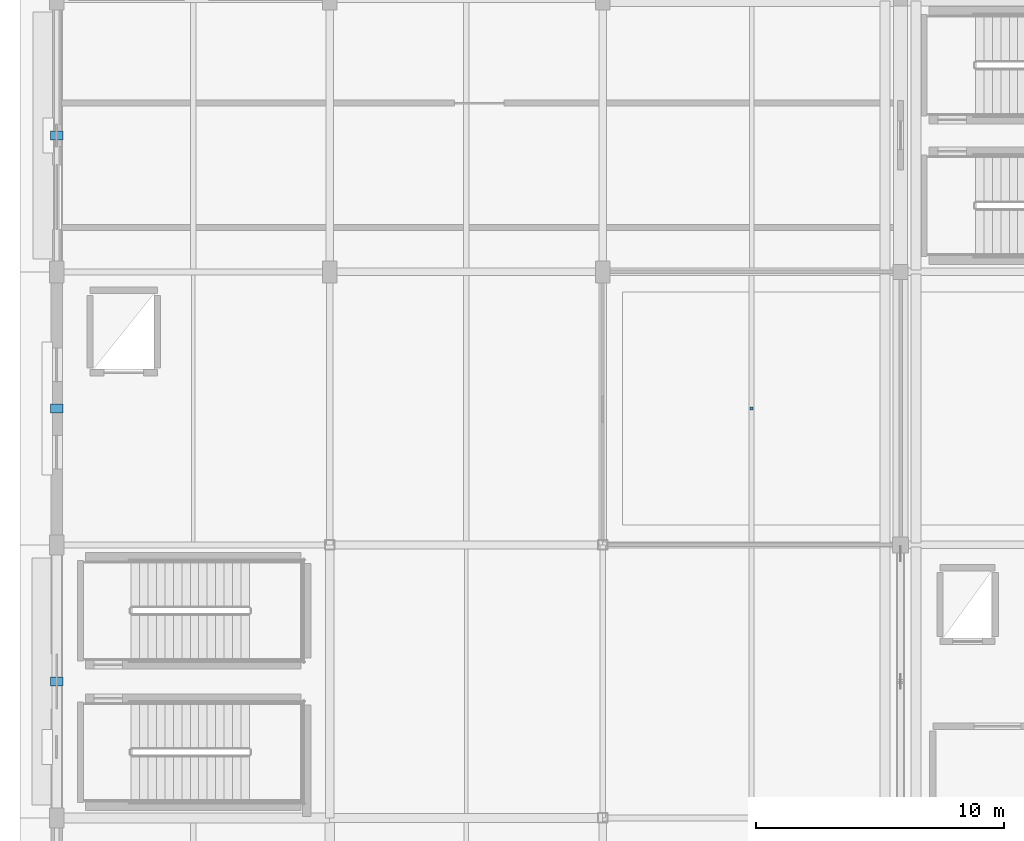
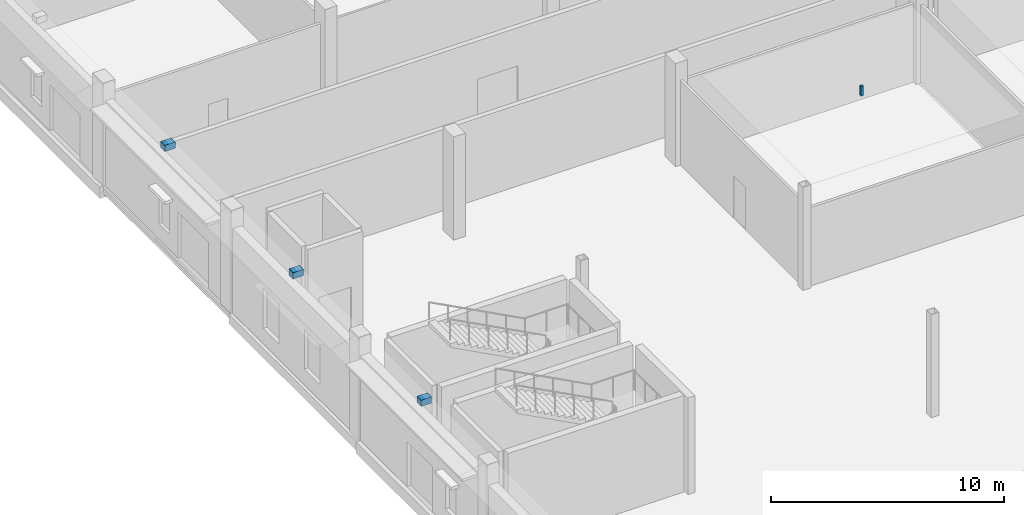
# One storey, part 76 of 120: 4 discrete accessories.
"""IFC4 building model written with IfcOpenShell, lengths in metres."""

from ifc_helpers import new_model, si_unit, direction, frame, origin, origin_2d, place, context, subcontext, project, spatial, rectangle, extrude, material, layer, layer_set, type_object, element, save


model = new_model("IFC4")

# Units and contexts
model_context = context("Model", 3, precision=1e-05, world=origin(), true_north=direction((0.0, 1.0)))
body_context = subcontext(model_context, "Body", "Model", "MODEL_VIEW")
ifc_project = project(units=[si_unit("LENGTHUNIT", "METRE"), si_unit("AREAUNIT", "SQUARE_METRE"), si_unit("VOLUMEUNIT", "CUBIC_METRE"), si_unit("PLANEANGLEUNIT", "RADIAN"), si_unit("MASSUNIT", "GRAM", prefix="KILO")], contexts=[model_context])

# Site, building, storey
site_placement = place(None, origin())
site = spatial("IfcSite", under=ifc_project, at=site_placement, CompositionType="ELEMENT")
building_placement = place(site_placement, origin())
building = spatial("IfcBuilding", under=site, at=building_placement, Name="Luwafu Chhajja Arena", CompositionType="ELEMENT")
storey_placement = place(building_placement, origin())
storey = spatial("IfcBuildingStorey", under=building, at=storey_placement, Name="L00", CompositionType="ELEMENT", Elevation=0.0)

# Discrete accessories
ifc_material = material(Name="Stainless steel bracket", Category="steel")
ifc_layer = layer(ifc_material, 0.179931640625, Name="Stainless steel bracket")
ifc_layer_set = layer_set([ifc_layer], Name="Stainless steel bracket")
discrete_accessory_type = type_object("IfcDiscreteAccessoryType", Name="Stainless Steel Facade Support Bracket", PredefinedType="BRACKET", material=ifc_layer_set)
for number, where, z_axis, x_axis, name in (
    (1, (0.0, 27.5, 4.97998046875), (0.0, 0.0, 1.0), (0.0, 1.0, 0.0), "L00 Chhajja Eave Support Bracket 0068"),
    (2, (0.0, 38.5, 4.97998046875), (0.0, 0.0, 1.0), (0.0, 1.0, 0.0), "L00 Chhajja Eave Support Bracket 0069"),
    (3, (0.0, 49.5, 4.97998046875), (0.0, 0.0, 1.0), (0.0, 1.0, 0.0), "L00 Chhajja Eave Support Bracket 0070"),
):
    element("IfcDiscreteAccessory", number, at=place(storey_placement, frame(where, z_axis=z_axis, x_axis=x_axis)), inside=storey, type_object=discrete_accessory_type, Name=name, PredefinedType="BRACKET", context=body_context, shape_type="SweptSolid", body=[
        extrude(rectangle(XDim=0.360107421875, YDim=0.52001953125, at=origin_2d()), origin(), (0.0, 0.0, 1.0), 0.320068359375),
    ])
discrete_accessory_placement = place(storey_placement, frame((28.0, 38.5, 4.59619140625), z_axis=(0.0, 0.0, 1.0), x_axis=(1.0, 0.0, 0.0)))
element("IfcDiscreteAccessory", 4, at=discrete_accessory_placement, inside=storey, type_object=discrete_accessory_type, Name="L00 Ceiling Suspension Hanger 002", PredefinedType="BRACKET", context=body_context, shape_type="SweptSolid", body=[
    extrude(rectangle(XDim=0.1201171875, YDim=0.1201171875, at=origin_2d()), origin(), (0.0, 0.0, 1.0), 0.513916015625),
])

save(model, "model.ifc")
